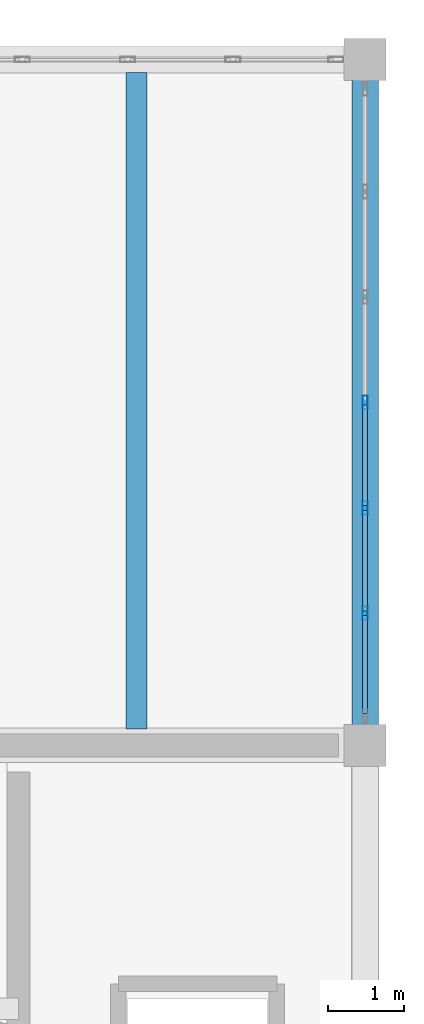
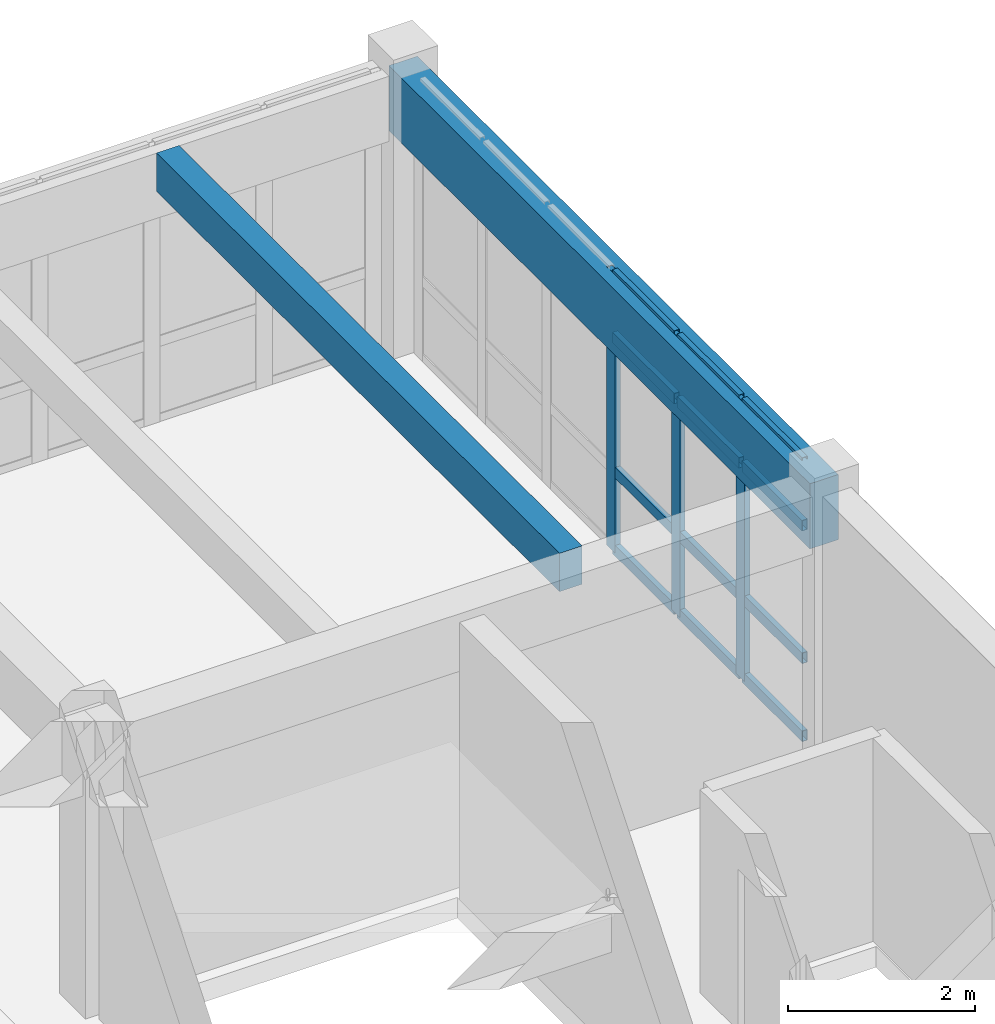
# One storey, part 100 of 156: 15 members, 2 beams, 1 element without a shape of its own.
"""IFC4 building model written with IfcOpenShell, lengths in metres."""

from ifc_helpers import new_model, si_unit, direction, frame, origin, origin_2d, place, context, subcontext, project, spatial, rectangle, hollow_rectangle, extrude, material, layer, layer_set, material_profile, profile_set, type_object, element, aggregate, save


model = new_model("IFC4")

# Units and contexts
model_context = context("Model", 3, precision=1e-05, world=origin(), true_north=direction((0.0, 1.0)))
body_context = subcontext(model_context, "Body", "Model", "MODEL_VIEW")
ifc_project = project(units=[si_unit("LENGTHUNIT", "METRE"), si_unit("AREAUNIT", "SQUARE_METRE"), si_unit("VOLUMEUNIT", "CUBIC_METRE"), si_unit("PLANEANGLEUNIT", "RADIAN"), si_unit("MASSUNIT", "GRAM", prefix="KILO")], contexts=[model_context])

# Site, building, storey
site_placement = place(None, origin())
site = spatial("IfcSite", under=ifc_project, at=site_placement, CompositionType="ELEMENT")
building_placement = place(site_placement, origin())
building = spatial("IfcBuilding", under=site, at=building_placement, Name="Ornek Quay Market", CompositionType="ELEMENT")
storey_placement = place(building_placement, frame((0.0, 0.0, 4.5)))
storey = spatial("IfcBuildingStorey", under=building, at=storey_placement, Name="L01", CompositionType="ELEMENT", Elevation=4.5)

# Beams
ifc_material_1 = material(Name="Concrete C35/45", Category="concrete")
ifc_material_profile_1 = material_profile(ifc_material_1, rectangle(XDim=0.280029296875, YDim=0.5, at=origin_2d()), Name="RC 280x500", Category="concrete")
ifc_profile_set_1 = profile_set([ifc_material_profile_1], Name="Concrete C35/45")
beam_type_1 = type_object("IfcBeamType", Name="BM-SEC-280x500", PredefinedType="JOIST", material=ifc_profile_set_1)
beam_1_placement = place(storey_placement, frame((177.0, 101.217041015625, 3.3798828125), z_axis=(0.0, 1.0, 0.0), x_axis=(-1.0, 0.0, 0.0)))
element("IfcBeam", 1, at=beam_1_placement, inside=storey, type_object=beam_type_1, Name="Secondary joist B-SC2-078", PredefinedType="JOIST", context=body_context, shape_type="SweptSolid", body=[
    extrude(rectangle(XDim=0.280029296875, YDim=0.5, at=origin_2d()), origin(), (0.0, 0.0, 1.0), 8.615966796875),
])
ifc_material_2 = material(Name="Concrete C40/50", Category="concrete")
ifc_material_profile_2 = material_profile(ifc_material_2, rectangle(XDim=0.35009765625, YDim=0.85009765625, at=origin_2d()), Name="RC 350x850", Category="concrete")
ifc_profile_set_2 = profile_set([ifc_material_profile_2], Name="Concrete C40/50")
beam_type_2 = type_object("IfcBeamType", Name="BM-SPN-350x850", PredefinedType="SPANDREL", material=ifc_profile_set_2)
beam_2_placement = place(storey_placement, frame((180.0, 101.0, 3.205078125), z_axis=(0.0, 1.0, 0.0), x_axis=(-1.0, 0.0, 0.0)))
element("IfcBeam", 2, at=beam_2_placement, inside=storey, type_object=beam_type_2, Name="Primary beam B-SP1-116", PredefinedType="SPANDREL", context=body_context, shape_type="SweptSolid", body=[
    extrude(rectangle(XDim=0.35009765625, YDim=0.85009765625, at=origin_2d()), origin(), (0.0, 0.0, 1.0), 9.0),
])

# Curtain wall, members
ifc_material_3 = material(Name="Anodised bronze aluminium and triple low-e glass", Category="aluminium")
ifc_layer = layer(ifc_material_3, 0.18994140625, Name="Anodised bronze aluminium and triple low-e glass", Category="aluminium")
ifc_layer_set = layer_set([ifc_layer], Name="Anodised bronze aluminium and triple low-e glass")
curtain_wall_type = type_object("IfcCurtainWallType", Name="CW-FC-MOD1500", PredefinedType="USERDEFINED", material=ifc_layer_set)
curtain_wall_placement = place(storey_placement, origin())
curtain_wall = element("IfcCurtainWall", 3, at=curtain_wall_placement, inside=storey, type_object=curtain_wall_type, Name="Curtain wall CW-087", ObjectType="CURTAIN WALL", PredefinedType="USERDEFINED")
ifc_material_4 = material(Name="Anodised aluminium 6063-T6", Category="aluminium")
ifc_material_profile_3 = material_profile(ifc_material_4, hollow_rectangle(XDim=0.06494140625, YDim=0.179931640625, WallThickness=0.00439453125, at=origin_2d()), Name="CW-MUL-65x180", Category="aluminium")
ifc_profile_set_3 = profile_set([ifc_material_profile_3], Name="Anodised aluminium 6063-T6")
member_type_1 = type_object("IfcMemberType", Name="CW-MUL-65x180", PredefinedType="MULLION", material=ifc_profile_set_3)
member_1_placement = place(storey_placement, frame((180.0, 102.7333984375, 0.0), z_axis=(0.0, 0.0, 1.0), x_axis=(-1.0, 0.0, 0.0)))
member_1 = element("IfcMember", 4, at=member_1_placement, type_object=member_type_1, Name="CW-087 mullion 2", PredefinedType="MULLION", context=body_context, shape_type="SweptSolid", body=[
    extrude(hollow_rectangle(XDim=0.06494140625, YDim=0.179931640625, WallThickness=0.00439453125, at=origin_2d()), origin(), (0.0, 0.0, 1.0), 3.6298828125),
])
member_2_placement = place(storey_placement, frame((180.0, 104.11669921875, 0.0), z_axis=(0.0, 0.0, 1.0), x_axis=(-1.0, 0.0, 0.0)))
member_2 = element("IfcMember", 5, at=member_2_placement, type_object=member_type_1, Name="CW-087 mullion 3", PredefinedType="MULLION", context=body_context, shape_type="SweptSolid", body=[
    extrude(hollow_rectangle(XDim=0.06494140625, YDim=0.179931640625, WallThickness=0.00439453125, at=origin_2d()), origin(), (0.0, 0.0, 1.0), 3.6298828125),
])
member_3_placement = place(storey_placement, frame((180.0, 105.5, 0.0), z_axis=(0.0, 0.0, 1.0), x_axis=(-1.0, 0.0, 0.0)))
member_3 = element("IfcMember", 6, at=member_3_placement, type_object=member_type_1, Name="CW-087 mullion 4", PredefinedType="MULLION", context=body_context, shape_type="SweptSolid", body=[
    extrude(hollow_rectangle(XDim=0.06494140625, YDim=0.179931640625, WallThickness=0.00439453125, at=origin_2d()), origin(), (0.0, 0.0, 1.0), 3.6298828125),
])
ifc_material_profile_4 = material_profile(ifc_material_4, hollow_rectangle(XDim=0.06494140625, YDim=0.139892578125, WallThickness=0.00439453125, at=origin_2d()), Name="CW-TRN-65x140", Category="aluminium")
ifc_profile_set_4 = profile_set([ifc_material_profile_4], Name="Anodised aluminium 6063-T6")
member_type_2 = type_object("IfcMemberType", Name="CW-TRN-65x140", PredefinedType="USERDEFINED", material=ifc_profile_set_4)
member_4_placement = place(storey_placement, frame((180.0, 101.4150390625, 0.032470703125), z_axis=(0.0, 1.0, 0.0), x_axis=(-1.0, 0.0, 0.0)))
member_4 = element("IfcMember", 7, at=member_4_placement, type_object=member_type_2, Name="CW-087 transom 1.1", ObjectType="TRANSOM", PredefinedType="USERDEFINED", context=body_context, shape_type="SweptSolid", body=[
    extrude(hollow_rectangle(XDim=0.06494140625, YDim=0.139892578125, WallThickness=0.00439453125, at=origin_2d()), origin(), (0.0, 0.0, 1.0), 1.285888671875),
])
member_5_placement = place(storey_placement, frame((180.0, 101.4150390625, 1.050048828125), z_axis=(0.0, 1.0, 0.0), x_axis=(-1.0, 0.0, 0.0)))
member_5 = element("IfcMember", 8, at=member_5_placement, type_object=member_type_2, Name="CW-087 transom 1.2", ObjectType="TRANSOM", PredefinedType="USERDEFINED", context=body_context, shape_type="SweptSolid", body=[
    extrude(hollow_rectangle(XDim=0.06494140625, YDim=0.139892578125, WallThickness=0.00439453125, at=origin_2d()), origin(), (0.0, 0.0, 1.0), 1.285888671875),
])
member_6_placement = place(storey_placement, frame((180.0, 101.4150390625, 2.780029296875), z_axis=(0.0, 1.0, 0.0), x_axis=(-1.0, 0.0, 0.0)))
member_6 = element("IfcMember", 9, at=member_6_placement, type_object=member_type_2, Name="CW-087 transom 1.3", ObjectType="TRANSOM", PredefinedType="USERDEFINED", context=body_context, shape_type="SweptSolid", body=[
    extrude(hollow_rectangle(XDim=0.06494140625, YDim=0.139892578125, WallThickness=0.00439453125, at=origin_2d()), origin(), (0.0, 0.0, 1.0), 1.285888671875),
])
member_7_placement = place(storey_placement, frame((180.0, 101.4150390625, 3.597412109375), z_axis=(0.0, 1.0, 0.0), x_axis=(-1.0, 0.0, 0.0)))
member_7 = element("IfcMember", 10, at=member_7_placement, type_object=member_type_2, Name="CW-087 transom 1.4", ObjectType="TRANSOM", PredefinedType="USERDEFINED", context=body_context, shape_type="SweptSolid", body=[
    extrude(hollow_rectangle(XDim=0.06494140625, YDim=0.139892578125, WallThickness=0.00439453125, at=origin_2d()), origin(), (0.0, 0.0, 1.0), 1.285888671875),
])
member_8_placement = place(storey_placement, frame((180.0, 102.765869140625, 0.032470703125), z_axis=(0.0, 1.0, 0.0), x_axis=(-1.0, 0.0, 0.0)))
member_8 = element("IfcMember", 11, at=member_8_placement, type_object=member_type_2, Name="CW-087 transom 2.1", ObjectType="TRANSOM", PredefinedType="USERDEFINED", context=body_context, shape_type="SweptSolid", body=[
    extrude(hollow_rectangle(XDim=0.06494140625, YDim=0.139892578125, WallThickness=0.00439453125, at=origin_2d()), origin(), (0.0, 0.0, 1.0), 1.318359375),
])
member_9_placement = place(storey_placement, frame((180.0, 102.765869140625, 1.050048828125), z_axis=(0.0, 1.0, 0.0), x_axis=(-1.0, 0.0, 0.0)))
member_9 = element("IfcMember", 12, at=member_9_placement, type_object=member_type_2, Name="CW-087 transom 2.2", ObjectType="TRANSOM", PredefinedType="USERDEFINED", context=body_context, shape_type="SweptSolid", body=[
    extrude(hollow_rectangle(XDim=0.06494140625, YDim=0.139892578125, WallThickness=0.00439453125, at=origin_2d()), origin(), (0.0, 0.0, 1.0), 1.318359375),
])
member_10_placement = place(storey_placement, frame((180.0, 102.765869140625, 2.780029296875), z_axis=(0.0, 1.0, 0.0), x_axis=(-1.0, 0.0, 0.0)))
member_10 = element("IfcMember", 13, at=member_10_placement, type_object=member_type_2, Name="CW-087 transom 2.3", ObjectType="TRANSOM", PredefinedType="USERDEFINED", context=body_context, shape_type="SweptSolid", body=[
    extrude(hollow_rectangle(XDim=0.06494140625, YDim=0.139892578125, WallThickness=0.00439453125, at=origin_2d()), origin(), (0.0, 0.0, 1.0), 1.318359375),
])
member_11_placement = place(storey_placement, frame((180.0, 102.765869140625, 3.597412109375), z_axis=(0.0, 1.0, 0.0), x_axis=(-1.0, 0.0, 0.0)))
member_11 = element("IfcMember", 14, at=member_11_placement, type_object=member_type_2, Name="CW-087 transom 2.4", ObjectType="TRANSOM", PredefinedType="USERDEFINED", context=body_context, shape_type="SweptSolid", body=[
    extrude(hollow_rectangle(XDim=0.06494140625, YDim=0.139892578125, WallThickness=0.00439453125, at=origin_2d()), origin(), (0.0, 0.0, 1.0), 1.318359375),
])
member_12_placement = place(storey_placement, frame((180.0, 104.149169921875, 0.032470703125), z_axis=(0.0, 1.0, 0.0), x_axis=(-1.0, 0.0, 0.0)))
member_12 = element("IfcMember", 15, at=member_12_placement, type_object=member_type_2, Name="CW-087 transom 3.1", ObjectType="TRANSOM", PredefinedType="USERDEFINED", context=body_context, shape_type="SweptSolid", body=[
    extrude(hollow_rectangle(XDim=0.06494140625, YDim=0.139892578125, WallThickness=0.00439453125, at=origin_2d()), origin(), (0.0, 0.0, 1.0), 1.318359375),
])
member_13_placement = place(storey_placement, frame((180.0, 104.149169921875, 1.050048828125), z_axis=(0.0, 1.0, 0.0), x_axis=(-1.0, 0.0, 0.0)))
member_13 = element("IfcMember", 16, at=member_13_placement, type_object=member_type_2, Name="CW-087 transom 3.2", ObjectType="TRANSOM", PredefinedType="USERDEFINED", context=body_context, shape_type="SweptSolid", body=[
    extrude(hollow_rectangle(XDim=0.06494140625, YDim=0.139892578125, WallThickness=0.00439453125, at=origin_2d()), origin(), (0.0, 0.0, 1.0), 1.318359375),
])
member_14_placement = place(storey_placement, frame((180.0, 104.149169921875, 2.780029296875), z_axis=(0.0, 1.0, 0.0), x_axis=(-1.0, 0.0, 0.0)))
member_14 = element("IfcMember", 17, at=member_14_placement, type_object=member_type_2, Name="CW-087 transom 3.3", ObjectType="TRANSOM", PredefinedType="USERDEFINED", context=body_context, shape_type="SweptSolid", body=[
    extrude(hollow_rectangle(XDim=0.06494140625, YDim=0.139892578125, WallThickness=0.00439453125, at=origin_2d()), origin(), (0.0, 0.0, 1.0), 1.318359375),
])
member_15_placement = place(storey_placement, frame((180.0, 104.149169921875, 3.597412109375), z_axis=(0.0, 1.0, 0.0), x_axis=(-1.0, 0.0, 0.0)))
member_15 = element("IfcMember", 18, at=member_15_placement, type_object=member_type_2, Name="CW-087 transom 3.4", ObjectType="TRANSOM", PredefinedType="USERDEFINED", context=body_context, shape_type="SweptSolid", body=[
    extrude(hollow_rectangle(XDim=0.06494140625, YDim=0.139892578125, WallThickness=0.00439453125, at=origin_2d()), origin(), (0.0, 0.0, 1.0), 1.318359375),
])
aggregate(curtain_wall, [member_1, member_2, member_3, member_4, member_5, member_6, member_7, member_8, member_9, member_10, member_11, member_12, member_13, member_14, member_15])

save(model, "model.ifc")
